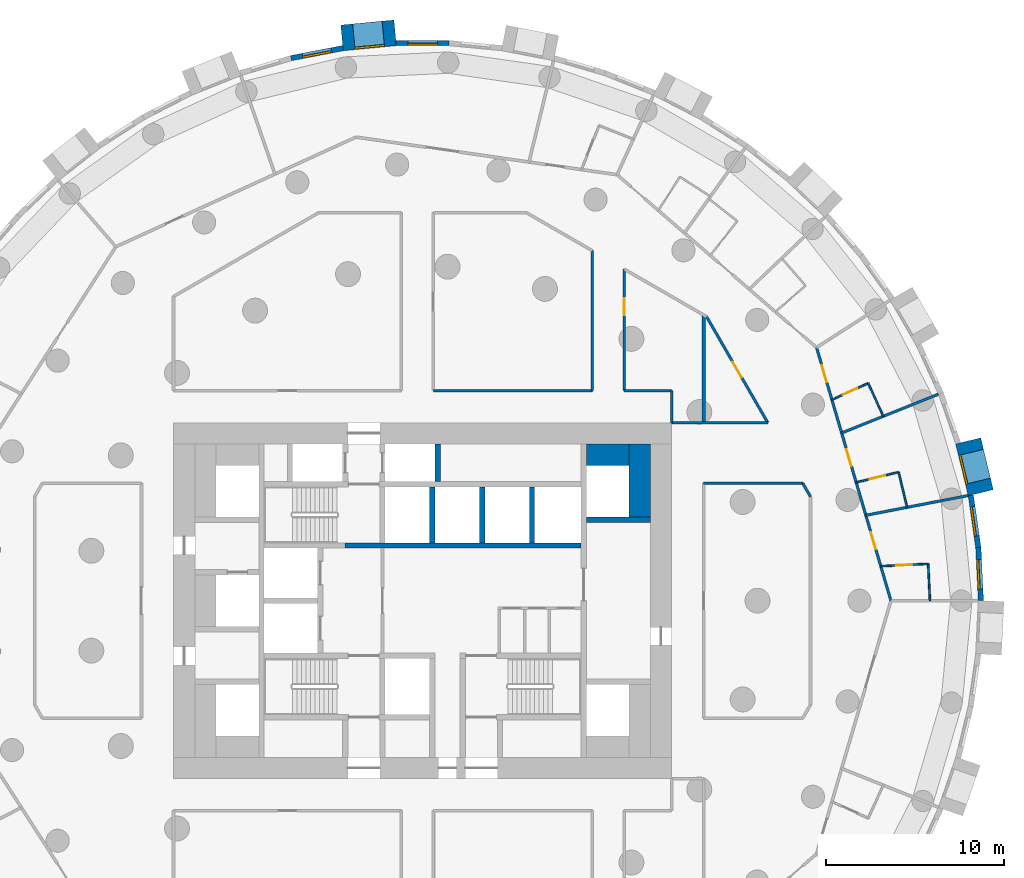
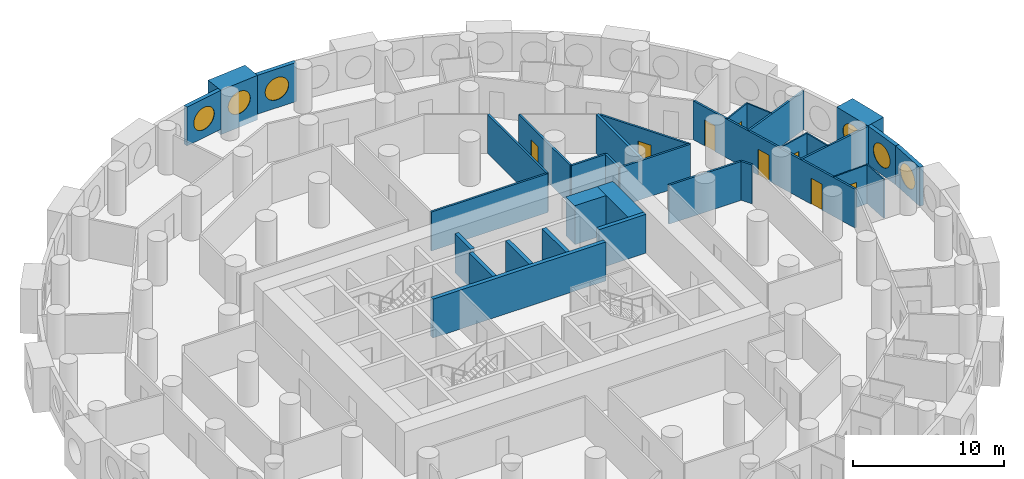
# One storey, part 8 of 12: 33 walls, 8 doors, 6 windows, 14 openings.
"""IFC4 building model written with IfcOpenShell, lengths in metres."""

from ifc_helpers import new_model, si_unit, direction, frame, frame_2d, origin, origin_2d, place, context, subcontext, project, spatial, rectangle, circle, extrude, material, layer, layer_set, type_object, element, fill, save


model = new_model("IFC4")

# Units and contexts
model_context = context("Model", 3, precision=1e-05, world=origin(), true_north=direction((0.0, 1.0)))
body_context = subcontext(model_context, "Body", "Model", "MODEL_VIEW")
ifc_project = project(units=[si_unit("LENGTHUNIT", "METRE"), si_unit("AREAUNIT", "SQUARE_METRE"), si_unit("VOLUMEUNIT", "CUBIC_METRE"), si_unit("PLANEANGLEUNIT", "RADIAN"), si_unit("MASSUNIT", "GRAM", prefix="KILO")], contexts=[model_context])

# Site, building, storey
site_placement = place(None, origin())
site = spatial("IfcSite", under=ifc_project, at=site_placement, CompositionType="ELEMENT")
building_placement = place(site_placement, origin())
building = spatial("IfcBuilding", under=site, at=building_placement, Name="Tracery Tower", CompositionType="ELEMENT")
storey_placement = place(building_placement, frame((0.0, 0.0, 75.0)))
storey = spatial("IfcBuildingStorey", under=building, at=storey_placement, Name="L18", CompositionType="ELEMENT", Elevation=75.0)

# Walls
ifc_material_1 = material(Name="Concrete C60/75", Category="concrete")
ifc_layer_1 = layer(ifc_material_1, 1.199951171875)
ifc_layer_set_1 = layer_set([ifc_layer_1], Name="Core strip wall 1200 C60")
wall_type_1 = type_object("IfcWallType", Name="Core strip wall 1200 C60", PredefinedType="SOLIDWALL", material=ifc_layer_set_1)
wall_1_placement = place(storey_placement, frame((12.199951171875, 4.699951171875, 0.0), z_axis=(0.0, 0.0, 1.0), x_axis=(0.0, 1.0, 0.0)))
element("IfcWall", 1, at=wall_1_placement, inside=storey, type_object=wall_type_1, Name="L18 wing strip +1 4.55", PredefinedType="SOLIDWALL", context=body_context, shape_type="SweptSolid", body=[
    extrude(rectangle(XDim=4.10009765625, YDim=1.199951171875, at=frame_2d((2.050048828125, 0.0))), origin(), (0.0, 0.0, 1.0), 3.14990234375),
])
wall_2_placement = place(storey_placement, frame((9.199951171875, 8.199951171875, 0.0), z_axis=(0.0, 0.0, 1.0), x_axis=(1.0, 0.0, 0.0)))
element("IfcWall", 2, at=wall_2_placement, inside=storey, type_object=wall_type_1, Name="L18 wing corner +1 +8.2", PredefinedType="SOLIDWALL", context=body_context, shape_type="SweptSolid", body=[
    extrude(rectangle(XDim=2.400146484375, YDim=1.199951171875, at=frame_2d((1.2001953125, 0.0))), origin(), (0.0, 0.0, 1.0), 3.14990234375),
])

# Wall, opening, window
ifc_material_2 = material(Name="Precast concrete C50/60", Category="concrete")
ifc_layer_2 = layer(ifc_material_2, 1.449951171875)
ifc_layer_set_2 = layer_set([ifc_layer_2], Name="Deep-set bay unit 3000 x 3600, slab edge 450")
wall_type_2 = type_object("IfcWallType", Name="Deep-set bay unit 3000 x 3600, slab edge 450", PredefinedType="ELEMENTEDWALL", material=ifc_layer_set_2)
wall_3_placement = place(storey_placement, frame((31.367919921875, 6.066162109375, -0.449951171875), z_axis=(0.0, 0.0, 1.0), x_axis=(-0.235751415068, 0.971813392732, 0.0)))
wall_3 = element("IfcWall", 3, at=wall_3_placement, inside=storey, type_object=wall_type_2, Name="Deep-set bay unit 3 at L18", PredefinedType="ELEMENTEDWALL", context=body_context, shape_type="SweptSolid", body=[
    extrude(rectangle(XDim=3.0, YDim=1.449951171875, at=frame_2d((1.5, 0.0))), origin(), (0.0, 0.0, 1.0), 3.599853515625),
])
opening_1_placement = place(wall_3_placement, frame((1.5, 0.0, 2.0)))
opening_1 = element("IfcOpeningElement", 4, at=opening_1_placement, cuts=wall_3, Name="Opening WN1", PredefinedType="OPENING", context=body_context, shape_type="SweptSolid", body=[
    extrude(circle(Radius=0.9000244140625, at=origin_2d()), frame((0.0, 0.73486328125, 0.0), z_axis=(0.0, -1.0, 0.0), x_axis=(1.0, 0.0, 0.0)), (0.0, 0.0, 1.0), 1.469970703125),
])
ifc_material_3 = material(Name="Aluminium frame with tinted double glazing", Category="aluminium")
window_type = type_object("IfcWindowType", Name="Round window 1800", PartitioningType="SINGLE_PANEL", PredefinedType="WINDOW", material=ifc_material_3)
window_1_placement = place(opening_1_placement, origin())
window_1 = element("IfcWindow", 5, at=window_1_placement, inside=storey, type_object=window_type, Name="Round window 3 at L18", OverallHeight=1.800048828125, OverallWidth=1.800048828125, PartitioningType="SINGLE_PANEL", PredefinedType="WINDOW", context=body_context, shape_type="SweptSolid", body=[
    extrude(circle(Radius=0.9000244140625, at=origin_2d()), frame((0.0, 0.69482421875, 0.0), z_axis=(0.0, -1.0, 0.0), x_axis=(1.0, 0.0, 0.0)), (0.0, 0.0, 1.0), 0.10009765625),
])
fill(opening_1, window_1)

wall_4_placement = place(storey_placement, frame((-1.540283203125, 31.911865234375, -0.449951171875), z_axis=(0.0, 0.0, 1.0), x_axis=(-0.995472768558, -0.09504718333, 0.0)))
wall_4 = element("IfcWall", 6, at=wall_4_placement, inside=storey, type_object=wall_type_2, Name="Deep-set bay unit 18 at L18", PredefinedType="ELEMENTEDWALL", context=body_context, shape_type="SweptSolid", body=[
    extrude(rectangle(XDim=3.000244140625, YDim=1.449951171875, at=frame_2d((1.5, 0.0))), origin(), (0.0, 0.0, 1.0), 3.599853515625),
])
opening_2_placement = place(wall_4_placement, frame((1.5, 0.0, 2.0)))
opening_2 = element("IfcOpeningElement", 7, at=opening_2_placement, cuts=wall_4, Name="Opening WN1", PredefinedType="OPENING", context=body_context, shape_type="SweptSolid", body=[
    extrude(circle(Radius=0.9000244140625, at=origin_2d()), frame((0.0, 0.73486328125, 0.0), z_axis=(0.0, -1.0, 0.0), x_axis=(1.0, 0.0, 0.0)), (0.0, 0.0, 1.0), 1.469970703125),
])
window_2_placement = place(opening_2_placement, origin())
window_2 = element("IfcWindow", 8, at=window_2_placement, inside=storey, type_object=window_type, Name="Round window 18 at L18", OverallHeight=1.800048828125, OverallWidth=1.800048828125, PartitioningType="SINGLE_PANEL", PredefinedType="WINDOW", context=body_context, shape_type="SweptSolid", body=[
    extrude(circle(Radius=0.9000244140625, at=origin_2d()), frame((0.0, 0.69482421875, 0.0), z_axis=(0.0, -1.0, 0.0), x_axis=(1.0, 0.0, 0.0)), (0.0, 0.0, 1.0), 0.10009765625),
])
fill(opening_2, window_2)

ifc_material_4 = material(Name="Precast concrete C50/60", Category="concrete")
ifc_layer_3 = layer(ifc_material_4, 0.300048828125)
ifc_layer_set_3 = layer_set([ifc_layer_3], Name="Facade panel 3000 x 3150")
wall_type_3 = type_object("IfcWallType", Name="Facade panel 3000 x 3150", PredefinedType="SOLIDWALL", material=ifc_layer_set_3)
wall_5_placement = place(storey_placement, frame((31.3740234375, 0.006103515625, 0.0), z_axis=(0.0, 0.0, 1.0), x_axis=(-0.047522328113, 0.998870175914, 0.0)))
wall_5 = element("IfcWall", 9, at=wall_5_placement, inside=storey, type_object=wall_type_3, Name="Facade panel 1 at L18", PredefinedType="SOLIDWALL", context=body_context, shape_type="SweptSolid", body=[
    extrude(rectangle(XDim=2.979736328125, YDim=0.300048828125, at=frame_2d((1.48974609375, 0.0))), origin(), (0.0, 0.0, 1.0), 3.14990234375),
])
opening_3_placement = place(wall_5_placement, frame((1.48974609375, 0.0, 1.5498046875)))
opening_3 = element("IfcOpeningElement", 10, at=opening_3_placement, cuts=wall_5, Name="Opening WN1", PredefinedType="OPENING", context=body_context, shape_type="SweptSolid", body=[
    extrude(circle(Radius=0.9000244140625, at=origin_2d()), frame((0.0, 0.159912109375, 0.0), z_axis=(0.0, -1.0, 0.0), x_axis=(1.0, 0.0, 0.0)), (0.0, 0.0, 1.0), 0.320068359375),
])
window_3_placement = place(opening_3_placement, origin())
window_3 = element("IfcWindow", 11, at=window_3_placement, inside=storey, type_object=window_type, Name="Round window 1 at L18", OverallHeight=1.800048828125, OverallWidth=1.800048828125, PartitioningType="SINGLE_PANEL", PredefinedType="WINDOW", context=body_context, shape_type="SweptSolid", body=[
    extrude(circle(Radius=0.9000244140625, at=origin_2d()), frame((0.0, 0.1201171875, 0.0), z_axis=(0.0, -1.0, 0.0), x_axis=(1.0, 0.0, 0.0)), (0.0, 0.0, 1.0), 0.10009765625),
])
fill(opening_3, window_3)

wall_6_placement = place(storey_placement, frame((31.232421875, 2.982421875, 0.0), z_axis=(0.0, 0.0, 1.0), x_axis=(-0.142327539111, 0.989819615693, 0.0)))
wall_6 = element("IfcWall", 12, at=wall_6_placement, inside=storey, type_object=wall_type_3, Name="Facade panel 2 at L18", PredefinedType="SOLIDWALL", context=body_context, shape_type="SweptSolid", body=[
    extrude(rectangle(XDim=2.9794921875, YDim=0.300048828125, at=frame_2d((1.48974609375, 0.0))), origin(), (0.0, 0.0, 1.0), 3.14990234375),
])
opening_4_placement = place(wall_6_placement, frame((1.48974609375, 0.0, 1.5498046875)))
opening_4 = element("IfcOpeningElement", 13, at=opening_4_placement, cuts=wall_6, Name="Opening WN1", PredefinedType="OPENING", context=body_context, shape_type="SweptSolid", body=[
    extrude(circle(Radius=0.9000244140625, at=origin_2d()), frame((0.0, 0.159912109375, 0.0), z_axis=(0.0, -1.0, 0.0), x_axis=(1.0, 0.0, 0.0)), (0.0, 0.0, 1.0), 0.320068359375),
])
window_4_placement = place(opening_4_placement, origin())
window_4 = element("IfcWindow", 14, at=window_4_placement, inside=storey, type_object=window_type, Name="Round window 2 at L18", OverallHeight=1.800048828125, OverallWidth=1.800048828125, PartitioningType="SINGLE_PANEL", PredefinedType="WINDOW", context=body_context, shape_type="SweptSolid", body=[
    extrude(circle(Radius=0.9000244140625, at=origin_2d()), frame((0.0, 0.1201171875, 0.0), z_axis=(0.0, -1.0, 0.0), x_axis=(1.0, 0.0, 0.0)), (0.0, 0.0, 1.0), 0.10009765625),
])
fill(opening_4, window_4)

wall_7_placement = place(storey_placement, frame((1.492919921875, 31.3388671875, 0.0), z_axis=(0.0, 0.0, 1.0), x_axis=(-1.0, 0.0, 0.0)))
wall_7 = element("IfcWall", 15, at=wall_7_placement, inside=storey, type_object=wall_type_3, Name="Facade panel 17 at L18", PredefinedType="SOLIDWALL", context=body_context, shape_type="SweptSolid", body=[
    extrude(rectangle(XDim=2.979736328125, YDim=0.300048828125, at=frame_2d((1.48974609375, 0.0))), origin(), (0.0, 0.0, 1.0), 3.14990234375),
])
opening_5_placement = place(wall_7_placement, frame((1.48974609375, 0.0, 1.5498046875)))
opening_5 = element("IfcOpeningElement", 16, at=opening_5_placement, cuts=wall_7, Name="Opening WN1", PredefinedType="OPENING", context=body_context, shape_type="SweptSolid", body=[
    extrude(circle(Radius=0.9000244140625, at=origin_2d()), frame((0.0, 0.159912109375, 0.0), z_axis=(0.0, -1.0, 0.0), x_axis=(1.0, 0.0, 0.0)), (0.0, 0.0, 1.0), 0.320068359375),
])
window_5_placement = place(opening_5_placement, origin())
window_5 = element("IfcWindow", 17, at=window_5_placement, inside=storey, type_object=window_type, Name="Round window 17 at L18", OverallHeight=1.800048828125, OverallWidth=1.800048828125, PartitioningType="SINGLE_PANEL", PredefinedType="WINDOW", context=body_context, shape_type="SweptSolid", body=[
    extrude(circle(Radius=0.9000244140625, at=origin_2d()), frame((0.0, 0.1201171875, 0.0), z_axis=(0.0, -1.0, 0.0), x_axis=(1.0, 0.0, 0.0)), (0.0, 0.0, 1.0), 0.10009765625),
])
fill(opening_5, window_5)

wall_8_placement = place(storey_placement, frame((-4.470947265625, 31.053955078125, 0.0), z_axis=(0.0, 0.0, 1.0), x_axis=(-0.981924535406, -0.189272836848, 0.0)))
wall_8 = element("IfcWall", 18, at=wall_8_placement, inside=storey, type_object=wall_type_3, Name="Facade panel 19 at L18", PredefinedType="SOLIDWALL", context=body_context, shape_type="SweptSolid", body=[
    extrude(rectangle(XDim=2.979736328125, YDim=0.300048828125, at=frame_2d((1.48974609375, 0.0))), origin(), (0.0, 0.0, 1.0), 3.14990234375),
])
opening_6_placement = place(wall_8_placement, frame((1.48974609375, 0.0, 1.5498046875)))
opening_6 = element("IfcOpeningElement", 19, at=opening_6_placement, cuts=wall_8, Name="Opening WN1", PredefinedType="OPENING", context=body_context, shape_type="SweptSolid", body=[
    extrude(circle(Radius=0.9000244140625, at=origin_2d()), frame((0.0, 0.159912109375, 0.0), z_axis=(0.0, -1.0, 0.0), x_axis=(1.0, 0.0, 0.0)), (0.0, 0.0, 1.0), 0.320068359375),
])
window_6_placement = place(opening_6_placement, origin())
window_6 = element("IfcWindow", 20, at=window_6_placement, inside=storey, type_object=window_type, Name="Round window 19 at L18", OverallHeight=1.800048828125, OverallWidth=1.800048828125, PartitioningType="SINGLE_PANEL", PredefinedType="WINDOW", context=body_context, shape_type="SweptSolid", body=[
    extrude(circle(Radius=0.9000244140625, at=origin_2d()), frame((0.0, 0.1201171875, 0.0), z_axis=(0.0, -1.0, 0.0), x_axis=(1.0, 0.0, 0.0)), (0.0, 0.0, 1.0), 0.10009765625),
])
fill(opening_6, window_6)

# Wall
ifc_material_5 = material(Name="Plasterboard on steel studs", Category="steel")
ifc_layer_4 = layer(ifc_material_5, 0.10009765625)
ifc_layer_set_4 = layer_set([ifc_layer_4], Name="Partition 100 wet wall")
wall_type_4 = type_object("IfcWallType", Name="Partition 100 wet wall", PredefinedType="PARTITIONING", material=ifc_layer_set_4)
wall_9_placement = place(storey_placement, frame((28.412109375, 2.069091796875, 0.0), z_axis=(0.0, 0.0, 1.0), x_axis=(0.047733138673, -0.998860124078, 0.0)))
element("IfcWall", 21, at=wall_9_placement, inside=storey, type_object=wall_type_4, Name="Wet wall RA5-058", PredefinedType="PARTITIONING", context=body_context, shape_type="SweptSolid", body=[
    extrude(rectangle(XDim=2.071533203125, YDim=0.10009765625, at=frame_2d((1.03564453125, 0.0))), origin(), (0.0, 0.0, 1.0), 3.14990234375),
])

# Wall, opening, door
wall_10_placement = place(storey_placement, frame((25.7490234375, 1.94189453125, 0.0), z_axis=(0.0, 0.0, 1.0), x_axis=(0.998861290624, 0.047708721344, 0.0)))
wall_10 = element("IfcWall", 22, at=wall_10_placement, inside=storey, type_object=wall_type_4, Name="Wet wall RA5-059", PredefinedType="PARTITIONING", context=body_context, shape_type="SweptSolid", body=[
    extrude(rectangle(XDim=2.666015625, YDim=0.10009765625, at=frame_2d((1.3330078125, 0.0))), origin(), (0.0, 0.0, 1.0), 3.14990234375),
])
opening_7_placement = place(wall_10_placement, frame((0.883056640625, 0.0, 0.0)))
opening_7 = element("IfcOpeningElement", 23, at=opening_7_placement, cuts=wall_10, Name="Opening RA5-10", PredefinedType="OPENING", context=body_context, shape_type="SweptSolid", body=[
    extrude(rectangle(XDim=0.89990234375, YDim=2.0400390625, at=frame_2d((0.449951171875, 1.02001953125))), frame((0.0, 0.050048828125, 0.0), z_axis=(0.0, -1.0, 0.0), x_axis=(1.0, 0.0, 0.0)), (0.0, 0.0, 1.0), 0.10009765625),
])
ifc_material_6 = material(Name="Timber door leaf", Category="wood")
door_type_1 = type_object("IfcDoorType", Name="Door en-suite 900", OperationType="NOTDEFINED", PredefinedType="DOOR", material=ifc_material_6)
door_1_placement = place(opening_7_placement, origin())
door_1 = element("IfcDoor", 24, at=door_1_placement, inside=storey, type_object=door_type_1, Name="En-suite door RA5-10", OperationType="SINGLE_SWING_LEFT", OverallHeight=2.0400390625, OverallWidth=0.89990234375, PredefinedType="DOOR", context=body_context, shape_type="SweptSolid", body=[
    extrude(rectangle(XDim=0.89990234375, YDim=2.0400390625, at=frame_2d((0.449951171875, 1.02001953125))), frame((0.0, 0.02490234375, 0.0), z_axis=(0.0, -1.0, 0.0), x_axis=(1.0, 0.0, 0.0)), (0.0, 0.0, 1.0), 0.050048828125),
])
fill(opening_7, door_1)

# Wall
wall_11_placement = place(storey_placement, frame((26.75, 7.22509765625, 0.0), z_axis=(0.0, 0.0, 1.0), x_axis=(0.23592286129, -0.97177178572, 0.0)))
element("IfcWall", 25, at=wall_11_placement, inside=storey, type_object=wall_type_4, Name="Wet wall RA5-062", PredefinedType="PARTITIONING", context=body_context, shape_type="SweptSolid", body=[
    extrude(rectangle(XDim=2.034423828125, YDim=0.10009765625, at=frame_2d((1.01708984375, 0.0))), origin(), (0.0, 0.0, 1.0), 3.14990234375),
])

# Wall, opening, door
wall_12_placement = place(storey_placement, frame((24.366943359375, 6.64599609375, 0.0), z_axis=(0.0, 0.0, 1.0), x_axis=(0.971720101056, 0.236135650006, 0.0)))
wall_12 = element("IfcWall", 26, at=wall_12_placement, inside=storey, type_object=wall_type_4, Name="Wet wall RA5-063", PredefinedType="PARTITIONING", context=body_context, shape_type="SweptSolid", body=[
    extrude(rectangle(XDim=2.452392578125, YDim=0.10009765625, at=frame_2d((1.22607421875, 0.0))), origin(), (0.0, 0.0, 1.0), 3.14990234375),
])
opening_8_placement = place(wall_12_placement, frame((0.7763671875, 0.0, 0.0)))
opening_8 = element("IfcOpeningElement", 27, at=opening_8_placement, cuts=wall_12, Name="Opening RA5-12", PredefinedType="OPENING", context=body_context, shape_type="SweptSolid", body=[
    extrude(rectangle(XDim=0.89990234375, YDim=2.0400390625, at=frame_2d((0.449951171875, 1.02001953125))), frame((0.0, 0.050048828125, 0.0), z_axis=(0.0, -1.0, 0.0), x_axis=(1.0, 0.0, 0.0)), (0.0, 0.0, 1.0), 0.10009765625),
])
door_2_placement = place(opening_8_placement, origin())
door_2 = element("IfcDoor", 28, at=door_2_placement, inside=storey, type_object=door_type_1, Name="En-suite door RA5-12", OperationType="SINGLE_SWING_LEFT", OverallHeight=2.0400390625, OverallWidth=0.89990234375, PredefinedType="DOOR", context=body_context, shape_type="SweptSolid", body=[
    extrude(rectangle(XDim=0.89990234375, YDim=2.0400390625, at=frame_2d((0.449951171875, 1.02001953125))), frame((0.0, 0.02490234375, 0.0), z_axis=(0.0, -1.0, 0.0), x_axis=(1.0, 0.0, 0.0)), (0.0, 0.0, 1.0), 0.050048828125),
])
fill(opening_8, door_2)

# Wall
wall_13_placement = place(storey_placement, frame((25.04296875, 12.221923828125, 0.0), z_axis=(0.0, 0.0, 1.0), x_axis=(0.41546015385, -0.909611378866, 0.0)))
element("IfcWall", 29, at=wall_13_placement, inside=storey, type_object=wall_type_4, Name="Wet wall RA5-065", PredefinedType="PARTITIONING", context=body_context, shape_type="SweptSolid", body=[
    extrude(rectangle(XDim=2.04150390625, YDim=0.10009765625, at=frame_2d((1.020751953125, 0.0))), origin(), (0.0, 0.0, 1.0), 3.14990234375),
])

# Wall, opening, door
wall_14_placement = place(storey_placement, frame((23.0029296875, 11.291015625, 0.0), z_axis=(0.0, 0.0, 1.0), x_axis=(0.90975773562, 0.41513956988, 0.0)))
wall_14 = element("IfcWall", 30, at=wall_14_placement, inside=storey, type_object=wall_type_4, Name="Wet wall RA5-066", PredefinedType="PARTITIONING", context=body_context, shape_type="SweptSolid", body=[
    extrude(rectangle(XDim=2.242431640625, YDim=0.10009765625, at=frame_2d((1.12109375, 0.0))), origin(), (0.0, 0.0, 1.0), 3.14990234375),
])
opening_9_placement = place(wall_14_placement, frame((0.67138671875, 0.0, 0.0)))
opening_9 = element("IfcOpeningElement", 31, at=opening_9_placement, cuts=wall_14, Name="Opening RA5-14", PredefinedType="OPENING", context=body_context, shape_type="SweptSolid", body=[
    extrude(rectangle(XDim=0.89990234375, YDim=2.0400390625, at=frame_2d((0.449951171875, 1.02001953125))), frame((0.0, 0.050048828125, 0.0), z_axis=(0.0, -1.0, 0.0), x_axis=(1.0, 0.0, 0.0)), (0.0, 0.0, 1.0), 0.10009765625),
])
door_3_placement = place(opening_9_placement, origin())
door_3 = element("IfcDoor", 32, at=door_3_placement, inside=storey, type_object=door_type_1, Name="En-suite door RA5-14", OperationType="SINGLE_SWING_LEFT", OverallHeight=2.0400390625, OverallWidth=0.89990234375, PredefinedType="DOOR", context=body_context, shape_type="SweptSolid", body=[
    extrude(rectangle(XDim=0.89990234375, YDim=2.0400390625, at=frame_2d((0.449951171875, 1.02001953125))), frame((0.0, 0.02490234375, 0.0), z_axis=(0.0, -1.0, 0.0), x_axis=(1.0, 0.0, 0.0)), (0.0, 0.0, 1.0), 0.050048828125),
])
fill(opening_9, door_3)

# Walls
ifc_material_7 = material(Name="Plasterboard on steel studs", Category="steel")
ifc_layer_5 = layer(ifc_material_7, 0.14990234375)
ifc_layer_set_5 = layer_set([ifc_layer_5], Name="Partition 150 acoustic unit wall")
wall_type_5 = type_object("IfcWallType", Name="Partition 150 acoustic unit wall", PredefinedType="PARTITIONING", material=ifc_layer_set_5)
wall_15_placement = place(storey_placement, frame((24.9091796875, 4.80029296875, 0.0), z_axis=(0.0, 0.0, 1.0), x_axis=(0.981919819649, 0.18929729998, 0.0)))
element("IfcWall", 33, at=wall_15_placement, inside=storey, type_object=wall_type_5, Name="Unit wall RA5-060", PredefinedType="PARTITIONING", context=body_context, shape_type="SweptSolid", body=[
    extrude(rectangle(XDim=5.856689453125, YDim=0.14990234375, at=frame_2d((2.92822265625, 0.0))), origin(), (0.0, 0.0, 1.0), 3.14990234375),
])
wall_16_placement = place(storey_placement, frame((23.55029296875, 9.427001953125, 0.0), z_axis=(0.0, 0.0, 1.0), x_axis=(0.928307005382, 0.371814609393, 0.0)))
element("IfcWall", 34, at=wall_16_placement, inside=storey, type_object=wall_type_5, Name="Unit wall RA5-064", PredefinedType="PARTITIONING", context=body_context, shape_type="SweptSolid", body=[
    extrude(rectangle(XDim=5.857666015625, YDim=0.14990234375, at=frame_2d((2.9287109375, 0.0))), origin(), (0.0, 0.0, 1.0), 3.14990234375),
])
ifc_material_8 = material(Name="Plasterboard on steel studs", Category="steel")
ifc_layer_6 = layer(ifc_material_8, 0.14990234375)
ifc_layer_set_6 = layer_set([ifc_layer_6], Name="Partition 150 corridor wall")
wall_type_6 = type_object("IfcWallType", Name="Partition 150 corridor wall", PredefinedType="PARTITIONING", material=ifc_layer_set_6)
wall_17_placement = place(storey_placement, frame((0.60400390625, 11.800048828125, 0.0), z_axis=(0.0, 0.0, 1.0), x_axis=(1.0, 0.0, 0.0)))
element("IfcWall", 35, at=wall_17_placement, inside=storey, type_object=wall_type_6, Name="Corridor wall RA5-002", PredefinedType="PARTITIONING", context=body_context, shape_type="SweptSolid", body=[
    extrude(rectangle(XDim=8.93603515625, YDim=0.14990234375, at=frame_2d((4.468017578125, 0.0))), origin(), (0.0, 0.0, 1.0), 3.14990234375),
])
wall_18_placement = place(storey_placement, frame((11.33203125, 11.800048828125, 0.0), z_axis=(0.0, 0.0, 1.0), x_axis=(1.0, 0.0, 0.0)))
element("IfcWall", 36, at=wall_18_placement, inside=storey, type_object=wall_type_6, Name="Corridor wall RA5-003", PredefinedType="PARTITIONING", context=body_context, shape_type="SweptSolid", body=[
    extrude(rectangle(XDim=2.66796875, YDim=0.14990234375, at=frame_2d((1.333984375, 0.0))), origin(), (0.0, 0.0, 1.0), 3.14990234375),
])
wall_19_placement = place(storey_placement, frame((14.0, 10.0, 0.0), z_axis=(0.0, 0.0, 1.0), x_axis=(0.0, 1.0, 0.0)))
element("IfcWall", 37, at=wall_19_placement, inside=storey, type_object=wall_type_6, Name="Corridor wall RA5-004", PredefinedType="PARTITIONING", context=body_context, shape_type="SweptSolid", body=[
    extrude(rectangle(XDim=1.800048828125, YDim=0.14990234375, at=frame_2d((0.89990234375, 0.0))), origin(), (0.0, 0.0, 1.0), 3.14990234375),
])
wall_20_placement = place(storey_placement, frame((14.0, 10.0, 0.0), z_axis=(0.0, 0.0, 1.0), x_axis=(1.0, 0.0, 0.0)))
element("IfcWall", 38, at=wall_20_placement, inside=storey, type_object=wall_type_6, Name="Corridor wall RA5-009", PredefinedType="PARTITIONING", context=body_context, shape_type="SweptSolid", body=[
    extrude(rectangle(XDim=5.40087890625, YDim=0.14990234375, at=frame_2d((2.700439453125, 0.0))), origin(), (0.0, 0.0, 1.0), 3.14990234375),
])
wall_21_placement = place(storey_placement, frame((21.364013671875, 6.60009765625, 0.0), z_axis=(0.0, 0.0, 1.0), x_axis=(0.500277597875, -0.865865073245, 0.0)))
element("IfcWall", 39, at=wall_21_placement, inside=storey, type_object=wall_type_6, Name="Corridor wall RA5-017", PredefinedType="PARTITIONING", context=body_context, shape_type="SweptSolid", body=[
    extrude(rectangle(XDim=0.87548828125, YDim=0.14990234375, at=frame_2d((0.437744140625, 0.0))), origin(), (0.0, 0.0, 1.0), 3.14990234375),
])
wall_22_placement = place(storey_placement, frame((15.800048828125, 6.60009765625, 0.0), z_axis=(0.0, 0.0, 1.0), x_axis=(1.0, 0.0, 0.0)))
element("IfcWall", 40, at=wall_22_placement, inside=storey, type_object=wall_type_6, Name="Corridor wall RA5-018", PredefinedType="PARTITIONING", context=body_context, shape_type="SweptSolid", body=[
    extrude(rectangle(XDim=5.56396484375, YDim=0.14990234375, at=frame_2d((2.781982421875, 0.0))), origin(), (0.0, 0.0, 1.0), 3.14990234375),
])

# Wall, opening, door
wall_23_placement = place(storey_placement, frame((15.9599609375, 15.9599609375, 0.0), z_axis=(0.0, 0.0, 1.0), x_axis=(0.499992689227, -0.86602962462, 0.0)))
wall_23 = element("IfcWall", 41, at=wall_23_placement, inside=storey, type_object=wall_type_6, Name="Corridor wall RA5-019", PredefinedType="PARTITIONING", context=body_context, shape_type="SweptSolid", body=[
    extrude(rectangle(XDim=6.8818359375, YDim=0.14990234375, at=frame_2d((3.44091796875, 0.0))), origin(), (0.0, 0.0, 1.0), 3.14990234375),
])
opening_10_placement = place(wall_23_placement, frame((2.94091796875, 0.0, 0.0)))
opening_10 = element("IfcOpeningElement", 42, at=opening_10_placement, cuts=wall_23, Name="Opening RA5-09", PredefinedType="OPENING", context=body_context, shape_type="SweptSolid", body=[
    extrude(rectangle(XDim=1.0, YDim=2.0400390625, at=frame_2d((0.5, 1.02001953125))), frame((0.0, 0.074951171875, 0.0), z_axis=(0.0, -1.0, 0.0), x_axis=(1.0, 0.0, 0.0)), (0.0, 0.0, 1.0), 0.14990234375),
])
ifc_material_9 = material(Name="Timber door leaf", Category="wood")
door_type_2 = type_object("IfcDoorType", Name="Door communal room 1000", OperationType="NOTDEFINED", PredefinedType="DOOR", material=ifc_material_9)
door_4_placement = place(opening_10_placement, origin())
door_4 = element("IfcDoor", 43, at=door_4_placement, inside=storey, type_object=door_type_2, Name="Communal room door RA5-09", OperationType="SINGLE_SWING_LEFT", OverallHeight=2.0400390625, OverallWidth=1.0, PredefinedType="DOOR", context=body_context, shape_type="SweptSolid", body=[
    extrude(rectangle(XDim=1.0, YDim=2.0400390625, at=frame_2d((0.5, 1.02001953125))), frame((0.0, 0.02490234375, 0.0), z_axis=(0.0, -1.0, 0.0), x_axis=(1.0, 0.0, 0.0)), (0.0, 0.0, 1.0), 0.050048828125),
])
fill(opening_10, door_4)

# Wall, openings, doors
wall_24_placement = place(storey_placement, frame((22.140380859375, 14.228759765625, 0.0), z_axis=(0.0, 0.0, 1.0), x_axis=(0.281780364869, -0.959478934617, 0.0)))
wall_24 = element("IfcWall", 44, at=wall_24_placement, inside=storey, type_object=wall_type_6, Name="Corridor wall RA5-020", PredefinedType="PARTITIONING", context=body_context, shape_type="SweptSolid", body=[
    extrude(rectangle(XDim=14.82958984375, YDim=0.14990234375, at=frame_2d((7.414794921875, 0.0))), origin(), (0.0, 0.0, 1.0), 3.14990234375),
])
opening_11_placement = place(wall_24_placement, frame((10.81591796875, 0.0, 0.0)))
opening_11 = element("IfcOpeningElement", 45, at=opening_11_placement, cuts=wall_24, Name="Opening RA5-11", PredefinedType="OPENING", context=body_context, shape_type="SweptSolid", body=[
    extrude(rectangle(XDim=1.0, YDim=2.10009765625, at=frame_2d((0.5, 1.050048828125))), frame((0.0, 0.074951171875, 0.0), z_axis=(0.0, -1.0, 0.0), x_axis=(1.0, 0.0, 0.0)), (0.0, 0.0, 1.0), 0.14990234375),
])
opening_12_placement = place(wall_24_placement, frame((5.953369140625, 0.0, 0.0)))
opening_12 = element("IfcOpeningElement", 46, at=opening_12_placement, cuts=wall_24, Name="Opening RA5-13", PredefinedType="OPENING", context=body_context, shape_type="SweptSolid", body=[
    extrude(rectangle(XDim=1.0, YDim=2.10009765625, at=frame_2d((0.5, 1.050048828125))), frame((0.0, 0.074951171875, 0.0), z_axis=(0.0, -1.0, 0.0), x_axis=(1.0, 0.0, 0.0)), (0.0, 0.0, 1.0), 0.14990234375),
])
opening_13_placement = place(wall_24_placement, frame((1.032958984375, 0.0, 0.0)))
opening_13 = element("IfcOpeningElement", 47, at=opening_13_placement, cuts=wall_24, Name="Opening RA5-15", PredefinedType="OPENING", context=body_context, shape_type="SweptSolid", body=[
    extrude(rectangle(XDim=1.0, YDim=2.10009765625, at=frame_2d((0.5, 1.050048828125))), frame((0.0, 0.074951171875, 0.0), z_axis=(0.0, -1.0, 0.0), x_axis=(1.0, 0.0, 0.0)), (0.0, 0.0, 1.0), 0.14990234375),
])
ifc_material_10 = material(Name="Timber door leaf", Category="wood")
door_type_3 = type_object("IfcDoorType", Name="Door unit entrance 1000", OperationType="NOTDEFINED", PredefinedType="DOOR", material=ifc_material_10)
door_5_placement = place(opening_11_placement, origin())
door_5 = element("IfcDoor", 48, at=door_5_placement, inside=storey, type_object=door_type_3, Name="Unit entrance door RA5-11", OperationType="SINGLE_SWING_LEFT", OverallHeight=2.10009765625, OverallWidth=1.0, PredefinedType="DOOR", context=body_context, shape_type="SweptSolid", body=[
    extrude(rectangle(XDim=1.0, YDim=2.10009765625, at=frame_2d((0.5, 1.050048828125))), frame((0.0, 0.02490234375, 0.0), z_axis=(0.0, -1.0, 0.0), x_axis=(1.0, 0.0, 0.0)), (0.0, 0.0, 1.0), 0.050048828125),
])
fill(opening_11, door_5)
door_6_placement = place(opening_12_placement, origin())
door_6 = element("IfcDoor", 49, at=door_6_placement, inside=storey, type_object=door_type_3, Name="Unit entrance door RA5-13", OperationType="SINGLE_SWING_LEFT", OverallHeight=2.10009765625, OverallWidth=1.0, PredefinedType="DOOR", context=body_context, shape_type="SweptSolid", body=[
    extrude(rectangle(XDim=1.0, YDim=2.10009765625, at=frame_2d((0.5, 1.050048828125))), frame((0.0, 0.02490234375, 0.0), z_axis=(0.0, -1.0, 0.0), x_axis=(1.0, 0.0, 0.0)), (0.0, 0.0, 1.0), 0.050048828125),
])
fill(opening_12, door_6)
door_7_placement = place(opening_13_placement, origin())
door_7 = element("IfcDoor", 50, at=door_7_placement, inside=storey, type_object=door_type_3, Name="Unit entrance door RA5-15", OperationType="SINGLE_SWING_LEFT", OverallHeight=2.10009765625, OverallWidth=1.0, PredefinedType="DOOR", context=body_context, shape_type="SweptSolid", body=[
    extrude(rectangle(XDim=1.0, YDim=2.10009765625, at=frame_2d((0.5, 1.050048828125))), frame((0.0, 0.02490234375, 0.0), z_axis=(0.0, -1.0, 0.0), x_axis=(1.0, 0.0, 0.0)), (0.0, 0.0, 1.0), 0.050048828125),
])
fill(opening_13, door_7)

# Wall
wall_25_placement = place(storey_placement, frame((9.535888671875, 11.800048828125, 0.0), z_axis=(0.0, 0.0, 1.0), x_axis=(0.0, 1.0, 0.0)))
element("IfcWall", 51, at=wall_25_placement, inside=storey, type_object=wall_type_6, Name="Corridor wall RA5-028", PredefinedType="PARTITIONING", context=body_context, shape_type="SweptSolid", body=[
    extrude(rectangle(XDim=7.868896484375, YDim=0.14990234375, at=frame_2d((3.9345703125, 0.0))), origin(), (0.0, 0.0, 1.0), 3.14990234375),
])

# Wall, opening, door
wall_26_placement = place(storey_placement, frame((11.3359375, 11.800048828125, 0.0), z_axis=(0.0, 0.0, 1.0), x_axis=(0.0, 1.0, 0.0)))
wall_26 = element("IfcWall", 52, at=wall_26_placement, inside=storey, type_object=wall_type_6, Name="Corridor wall RA5-033", PredefinedType="PARTITIONING", context=body_context, shape_type="SweptSolid", body=[
    extrude(rectangle(XDim=6.829833984375, YDim=0.14990234375, at=frame_2d((3.4150390625, 0.0))), origin(), (0.0, 0.0, 1.0), 3.14990234375),
])
opening_14_placement = place(wall_26_placement, frame((4.239990234375, 0.0, 0.0)))
opening_14 = element("IfcOpeningElement", 53, at=opening_14_placement, cuts=wall_26, Name="Opening RA5-03", PredefinedType="OPENING", context=body_context, shape_type="SweptSolid", body=[
    extrude(rectangle(XDim=0.949951171875, YDim=2.10009765625, at=frame_2d((0.47509765625, 1.050048828125))), frame((0.0, 0.074951171875, 0.0), z_axis=(0.0, -1.0, 0.0), x_axis=(1.0, 0.0, 0.0)), (0.0, 0.0, 1.0), 0.14990234375),
])
ifc_material_11 = material(Name="Timber door leaf", Category="wood")
door_type_4 = type_object("IfcDoorType", Name="Door store 950", OperationType="NOTDEFINED", PredefinedType="DOOR", material=ifc_material_11)
door_8_placement = place(opening_14_placement, origin())
door_8 = element("IfcDoor", 54, at=door_8_placement, inside=storey, type_object=door_type_4, Name="Store door RA5-03", OperationType="SINGLE_SWING_LEFT", OverallHeight=2.10009765625, OverallWidth=0.949951171875, PredefinedType="DOOR", context=body_context, shape_type="SweptSolid", body=[
    extrude(rectangle(XDim=0.949951171875, YDim=2.10009765625, at=frame_2d((0.47509765625, 1.050048828125))), frame((0.0, 0.02490234375, 0.0), z_axis=(0.0, -1.0, 0.0), x_axis=(1.0, 0.0, 0.0)), (0.0, 0.0, 1.0), 0.050048828125),
])
fill(opening_14, door_8)

# Walls
ifc_material_12 = material(Name="Plasterboard on steel studs", Category="steel")
ifc_layer_7 = layer(ifc_material_12, 0.199951171875)
ifc_layer_set_7 = layer_set([ifc_layer_7], Name="Partition 200 compartment wall")
wall_type_7 = type_object("IfcWallType", Name="Partition 200 compartment wall", PredefinedType="PARTITIONING", material=ifc_layer_set_7)
wall_27_placement = place(storey_placement, frame((15.800048828125, 10.0, 0.0), z_axis=(0.0, 0.0, 1.0), x_axis=(0.0, 1.0, 0.0)))
element("IfcWall", 55, at=wall_27_placement, inside=storey, type_object=wall_type_7, Name="Compartment wall RA5-057", PredefinedType="PARTITIONING", context=body_context, shape_type="SweptSolid", body=[
    extrude(rectangle(XDim=6.052978515625, YDim=0.199951171875, at=frame_2d((3.0263671875, 0.0))), origin(), (0.0, 0.0, 1.0), 3.14990234375),
])
ifc_material_13 = material(Name="Concrete C60/75", Category="concrete")
ifc_layer_8 = layer(ifc_material_13, 0.300048828125)
ifc_layer_set_8 = layer_set([ifc_layer_8], Name="Shaft wall 300 C60")
wall_type_8 = type_object("IfcWallType", Name="Shaft wall 300 C60", PredefinedType="SOLIDWALL", material=ifc_layer_set_8)
for number, where, z_axis, x_axis, name in (
    (56, (0.550048828125, 3.25, 0.0), (0.0, 0.0, 1.0), (0.0, 1.0, 0.0), "L18 HR sep 1"),
    (57, (3.35009765625, 3.25, 0.0), (0.0, 0.0, 1.0), (0.0, 1.0, 0.0), "L18 HR sep 2"),
    (58, (6.14990234375, 3.25, 0.0), (0.0, 0.0, 1.0), (0.0, 1.0, 0.0), "L18 HR sep 3"),
):
    element("IfcWall", number, at=place(storey_placement, frame(where, z_axis=z_axis, x_axis=x_axis)), inside=storey, type_object=wall_type_8, Name=name, PredefinedType="SOLIDWALL", context=body_context, shape_type="SweptSolid", body=[
        extrude(rectangle(XDim=3.14990234375, YDim=0.300048828125, at=frame_2d((1.574951171875, 0.0))), origin(), (0.0, 0.0, 1.0), 3.14990234375),
    ])
wall_28_placement = place(storey_placement, frame((0.85009765625, 6.699951171875, 0.0), z_axis=(0.0, 0.0, 1.0), x_axis=(0.0, 1.0, 0.0)))
element("IfcWall", 59, at=wall_28_placement, inside=storey, type_object=wall_type_8, Name="L18 LR sep 0.85", PredefinedType="SOLIDWALL", context=body_context, shape_type="SweptSolid", body=[
    extrude(rectangle(XDim=2.10009765625, YDim=0.300048828125, at=frame_2d((1.050048828125, 0.0))), origin(), (0.0, 0.0, 1.0), 3.14990234375),
])
wall_29_placement = place(storey_placement, frame((9.199951171875, 4.550048828125, 0.0), z_axis=(0.0, 0.0, 1.0), x_axis=(1.0, 0.0, 0.0)))
element("IfcWall", 60, at=wall_29_placement, inside=storey, type_object=wall_type_8, Name="L18 wing shaft wall +1 +4.55", PredefinedType="SOLIDWALL", context=body_context, shape_type="SweptSolid", body=[
    extrude(rectangle(XDim=3.60009765625, YDim=0.300048828125, at=frame_2d((1.800048828125, 0.0))), origin(), (0.0, 0.0, 1.0), 3.14990234375),
])
ifc_material_14 = material(Name="Concrete C60/75", Category="concrete")
ifc_layer_9 = layer(ifc_material_14, 0.300048828125)
ifc_layer_set_9 = layer_set([ifc_layer_9], Name="Stair wall 300 C60")
wall_type_9 = type_object("IfcWallType", Name="Stair wall 300 C60", PredefinedType="SOLIDWALL", material=ifc_layer_set_9)
wall_30_placement = place(storey_placement, frame((-4.35009765625, 3.10009765625, 0.0), z_axis=(0.0, 0.0, 1.0), x_axis=(1.0, 0.0, 0.0)))
element("IfcWall", 61, at=wall_30_placement, inside=storey, type_object=wall_type_9, Name="L18 row N", PredefinedType="SOLIDWALL", context=body_context, shape_type="SweptSolid", body=[
    extrude(rectangle(XDim=13.25, YDim=0.300048828125, at=frame_2d((6.625, 0.0))), origin(), (0.0, 0.0, 1.0), 3.14990234375),
])

save(model, "model.ifc")
